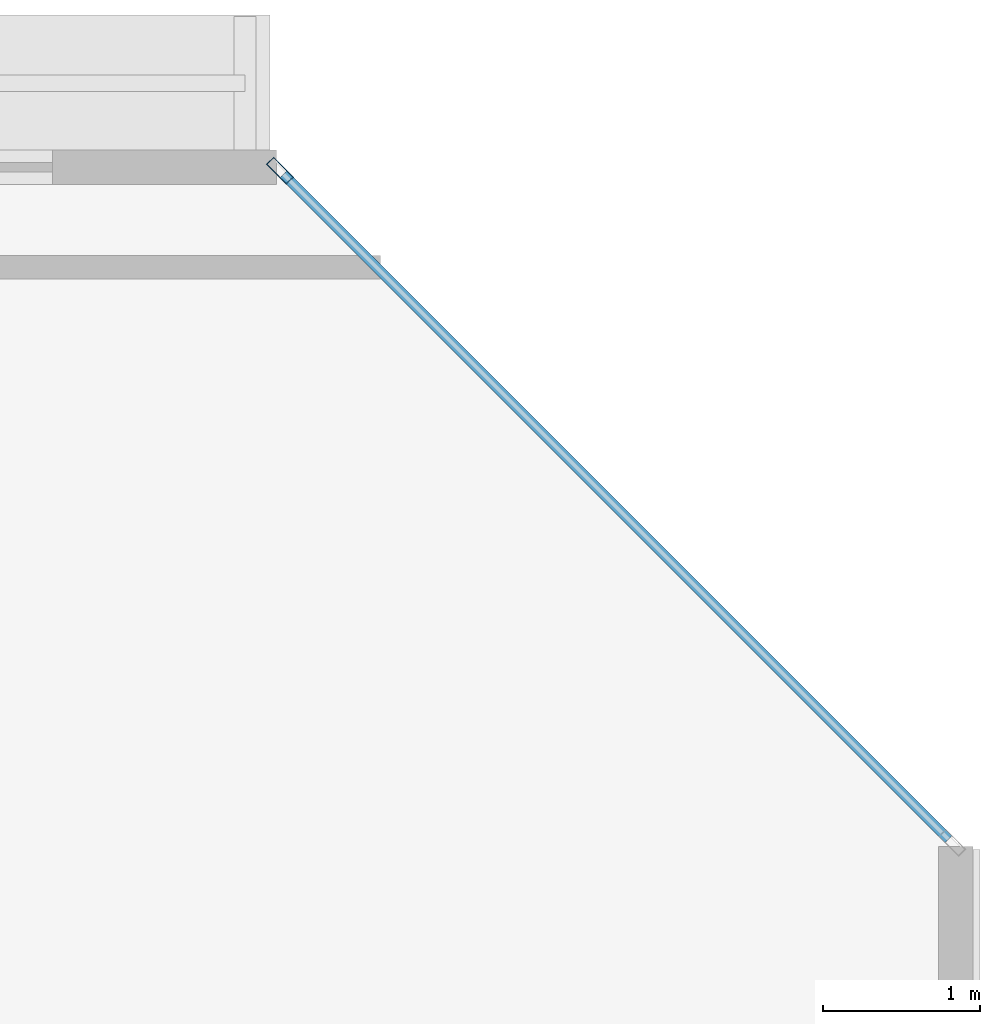
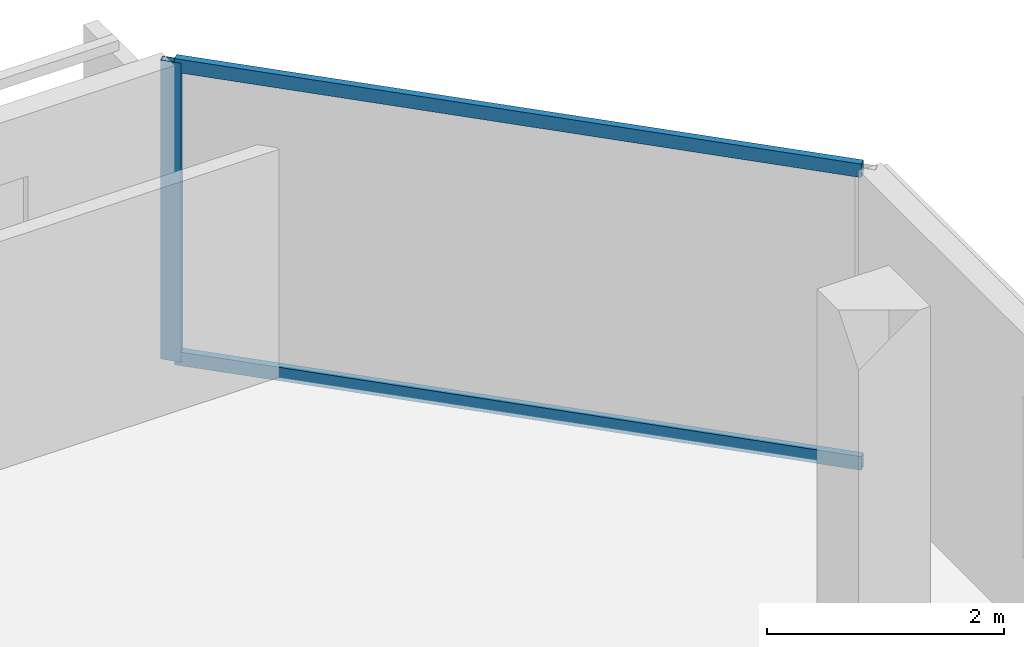
# One storey, part 19 of 28: 3 members, 1 element without a shape of its own.
"""IFC4 building model written with IfcOpenShell, lengths in metres."""

from ifc_helpers import new_model, si_unit, direction, frame, origin, origin_2d, place, context, subcontext, project, spatial, hollow_rectangle, extrude, material, layer, layer_set, material_profile, profile_set, type_object, element, aggregate, save


model = new_model("IFC4")

# Units and contexts
model_context = context("Model", 3, precision=1e-05, world=origin(), true_north=direction((0.0, 1.0)))
body_context = subcontext(model_context, "Body", "Model", "MODEL_VIEW")
ifc_project = project(units=[si_unit("LENGTHUNIT", "METRE"), si_unit("AREAUNIT", "SQUARE_METRE"), si_unit("VOLUMEUNIT", "CUBIC_METRE"), si_unit("PLANEANGLEUNIT", "RADIAN"), si_unit("MASSUNIT", "GRAM", prefix="KILO")], contexts=[model_context])

# Site, building, storey
site_placement = place(None, origin())
site = spatial("IfcSite", under=ifc_project, at=site_placement, CompositionType="ELEMENT")
building_placement = place(site_placement, origin())
building = spatial("IfcBuilding", under=site, at=building_placement, Name="Tanjung Sevakor Pilgrim Tower", CompositionType="ELEMENT")
storey_placement = place(building_placement, frame((0.0, 0.0, 239.25)))
storey = spatial("IfcBuildingStorey", under=building, at=storey_placement, Name="L67", CompositionType="ELEMENT", Elevation=239.25)

# Curtain wall, members
ifc_material_1 = material(Name="Aluminium 6063-T6 and Low-E Glass", Category="aluminium")
ifc_layer = layer(ifc_material_1, 0.179931640625)
ifc_layer_set = layer_set([ifc_layer], Name="CW-SYS-CHAM")
curtain_wall_type = type_object("IfcCurtainWallType", Name="CW-SYS-CHAM", PredefinedType="NOTDEFINED", material=ifc_layer_set)
curtain_wall_placement = place(storey_placement, origin())
curtain_wall = element("IfcCurtainWall", 1, at=curtain_wall_placement, inside=storey, type_object=curtain_wall_type, Name="L67 Curtain Wall CW-CHM-L67-EAST-3", PredefinedType="NOTDEFINED")
ifc_material_2 = material(Name="Aluminium 6063-T6", Category="aluminium")
ifc_material_profile_1 = material_profile(ifc_material_2, hollow_rectangle(XDim=0.06494140625, YDim=0.179931640625, WallThickness=0.00390625, at=origin_2d()))
ifc_profile_set_1 = profile_set([ifc_material_profile_1], Name="Aluminium 6063-T6")
member_type_1 = type_object("IfcMemberType", Name="TYPE-CWM-1", PredefinedType="MULLION", material=ifc_profile_set_1)
member_1_placement = place(storey_placement, frame((94.77734375, 54.866943359375, 0.0), z_axis=(0.0, 0.0, 1.0), x_axis=(-0.707106781187, -0.707106781187, 0.0)))
member_1 = element("IfcMember", 2, at=member_1_placement, type_object=member_type_1, Name="CW-CHM mullion 2", PredefinedType="MULLION", context=body_context, shape_type="SweptSolid", body=[
    extrude(hollow_rectangle(XDim=0.06494140625, YDim=0.179931640625, WallThickness=0.00390625, at=origin_2d()), origin(), (0.0, 0.0, 1.0), 3.080078125),
])
ifc_material_3 = material(Name="Aluminium 6063-T6", Category="aluminium")
ifc_material_profile_2 = material_profile(ifc_material_3, hollow_rectangle(XDim=0.06494140625, YDim=0.139892578125, WallThickness=0.00390625, at=origin_2d()))
ifc_profile_set_2 = profile_set([ifc_material_profile_2], Name="Aluminium 6063-T6")
member_type_2 = type_object("IfcMemberType", Name="TYPE-CWT-1", PredefinedType="USERDEFINED", material=ifc_profile_set_2)
member_2_placement = place(storey_placement, frame((99.0439453125, 50.600341796875, 0.032470703125), z_axis=(-0.707106781187, 0.707106781187, 0.0), x_axis=(-0.707106781187, -0.707106781187, 0.0)))
member_2 = element("IfcMember", 3, at=member_2_placement, type_object=member_type_2, Name="CW-CHM transom 1.1", ObjectType="TRANSOM", PredefinedType="USERDEFINED", context=body_context, shape_type="SweptSolid", body=[
    extrude(hollow_rectangle(XDim=0.06494140625, YDim=0.139892578125, WallThickness=0.00390625, at=origin_2d()), origin(), (0.0, 0.0, 1.0), 6.00146484375),
])
member_3_placement = place(storey_placement, frame((99.0439453125, 50.600341796875, 3.047607421875), z_axis=(-0.707106781187, 0.707106781187, 0.0), x_axis=(-0.707106781187, -0.707106781187, 0.0)))
member_3 = element("IfcMember", 4, at=member_3_placement, type_object=member_type_2, Name="CW-CHM transom 1.2", ObjectType="TRANSOM", PredefinedType="USERDEFINED", context=body_context, shape_type="SweptSolid", body=[
    extrude(hollow_rectangle(XDim=0.06494140625, YDim=0.139892578125, WallThickness=0.00390625, at=origin_2d()), origin(), (0.0, 0.0, 1.0), 6.00146484375),
])
aggregate(curtain_wall, [member_1, member_2, member_3])

save(model, "model.ifc")
